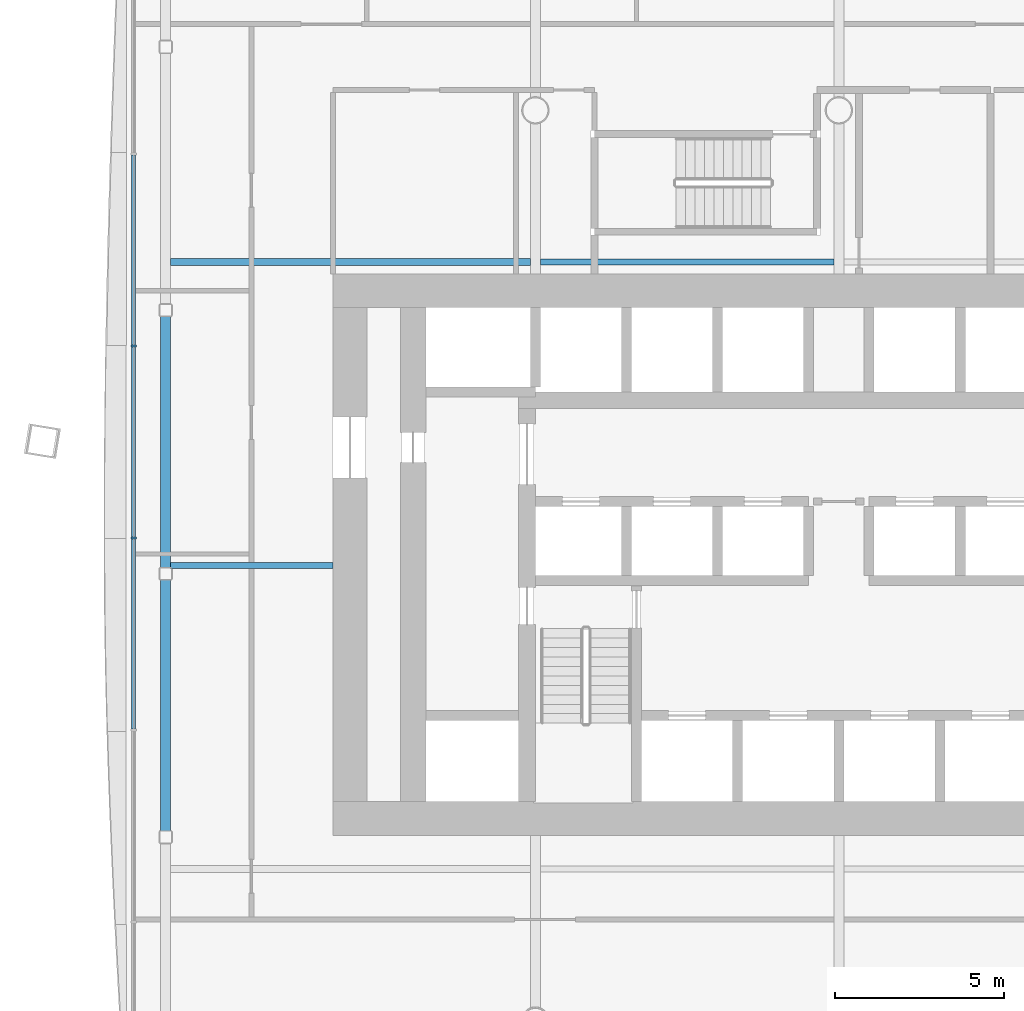
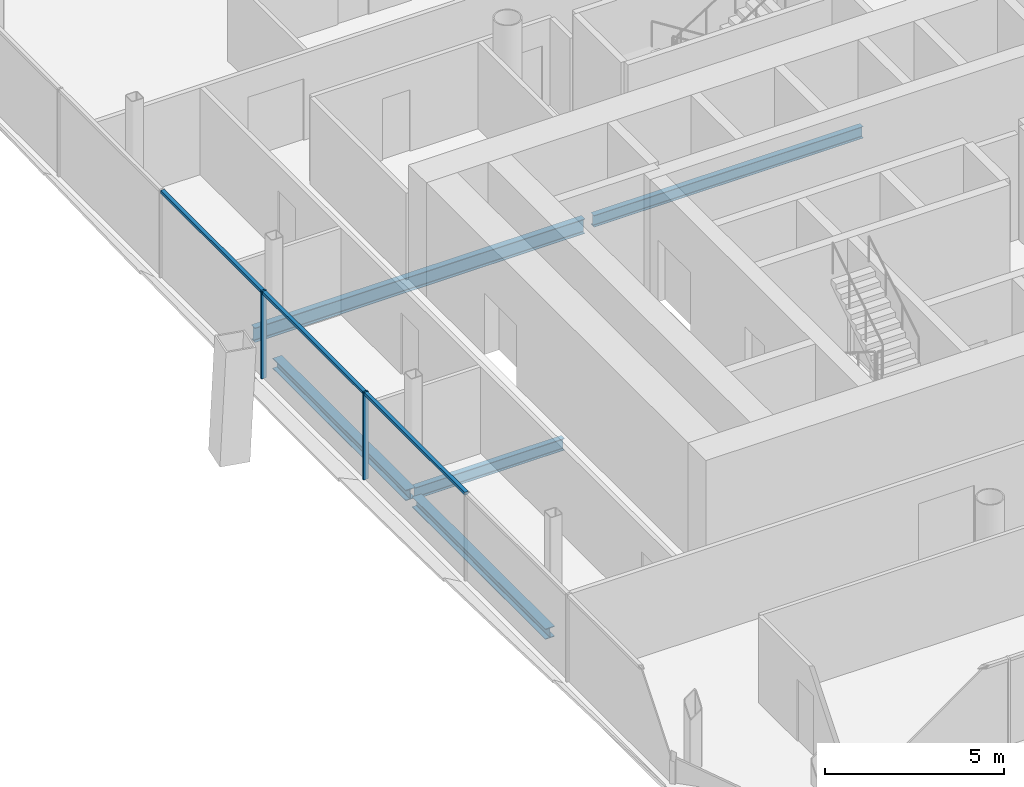
# One storey, part 4 of 19: 5 beams, 5 members, 1 element without a shape of its own.
"""IFC4 building model written with IfcOpenShell, lengths in metres."""

from ifc_helpers import new_model, si_unit, direction, frame, origin, origin_2d, place, context, subcontext, project, spatial, rectangle, i_section, extrude, material, material_profile, profile_set, type_object, element, aggregate, save


model = new_model("IFC4")

# Units and contexts
model_context = context("Model", 3, precision=1e-05, world=origin(), true_north=direction((0.0, 1.0)))
body_context = subcontext(model_context, "Body", "Model", "MODEL_VIEW")
ifc_project = project(units=[si_unit("LENGTHUNIT", "METRE"), si_unit("AREAUNIT", "SQUARE_METRE"), si_unit("VOLUMEUNIT", "CUBIC_METRE"), si_unit("PLANEANGLEUNIT", "RADIAN"), si_unit("MASSUNIT", "GRAM", prefix="KILO")], contexts=[model_context])

# Site, building, storey
site_placement = place(None, origin())
site = spatial("IfcSite", under=ifc_project, at=site_placement, CompositionType="ELEMENT")
building_placement = place(site_placement, origin())
building = spatial("IfcBuilding", under=site, at=building_placement, Name="Tskaro Facet Tower", CompositionType="ELEMENT")
storey_placement = place(building_placement, frame((0.0, 0.0, 105.0)))
storey = spatial("IfcBuildingStorey", under=building, at=storey_placement, Name="L25", CompositionType="ELEMENT", Elevation=105.0)

# Curtain wall, members
ifc_material_1 = material(Name="Bronze anodised aluminium 6063-T6", Category="aluminium")
curtain_wall_type = type_object("IfcCurtainWallType", Name="Bronze office curtain wall (FW1)", PredefinedType="NOTDEFINED", material=ifc_material_1)
curtain_wall_placement = place(storey_placement, origin())
curtain_wall = element("IfcCurtainWall", 1, at=curtain_wall_placement, inside=storey, type_object=curtain_wall_type, Name="FW1 west facet L25", PredefinedType="NOTDEFINED")
ifc_material_profile_1 = material_profile(ifc_material_1, rectangle(XDim=0.06005859375, YDim=0.159912109375, at=origin_2d()), Name="Mullion 60x160")
ifc_profile_set_1 = profile_set([ifc_material_profile_1], Name="Bronze anodised aluminium 6063-T6")
member_type_1 = type_object("IfcMemberType", Name="FW1 bronze mullion 60x160", PredefinedType="MULLION", material=ifc_profile_set_1)
member_1_placement = place(storey_placement, frame((-20.9150390625, 2.0087890625, 0.0), z_axis=(0.0, 0.0, 1.0), x_axis=(0.0, -1.0, 0.0)))
member_1 = element("IfcMember", 2, at=member_1_placement, type_object=member_type_1, Name="FW1 west mullion 3", PredefinedType="MULLION", context=body_context, shape_type="SweptSolid", body=[
    extrude(rectangle(XDim=0.06005859375, YDim=0.159912109375, at=origin_2d()), origin(), (0.0, 0.0, 1.0), 2.989990234375),
])
member_2_placement = place(storey_placement, frame((-20.9150390625, -3.6826171875, 0.0), z_axis=(0.0, 0.0, 1.0), x_axis=(0.0, -1.0, 0.0)))
member_2 = element("IfcMember", 3, at=member_2_placement, type_object=member_type_1, Name="FW1 west mullion 4", PredefinedType="MULLION", context=body_context, shape_type="SweptSolid", body=[
    extrude(rectangle(XDim=0.06005859375, YDim=0.159912109375, at=origin_2d()), origin(), (0.0, 0.0, 1.0), 2.989990234375),
])
ifc_material_profile_2 = material_profile(ifc_material_1, rectangle(XDim=0.1201171875, YDim=0.10009765625, at=origin_2d()), Name="Transom 120x100")
ifc_profile_set_2 = profile_set([ifc_material_profile_2], Name="Bronze anodised aluminium 6063-T6")
member_type_2 = type_object("IfcMemberType", Name="FW1 bronze transom 120x100", PredefinedType="USERDEFINED", material=ifc_profile_set_2)
member_3_placement = place(storey_placement, frame((-20.9150390625, 7.670166015625, 2.93994140625), z_axis=(0.0, -1.0, 0.0), x_axis=(1.0, 0.0, 0.0)))
member_3 = element("IfcMember", 4, at=member_3_placement, type_object=member_type_2, Name="FW1 west transom 3.1", ObjectType="TRANSOM", PredefinedType="USERDEFINED", context=body_context, shape_type="SweptSolid", body=[
    extrude(rectangle(XDim=0.1201171875, YDim=0.10009765625, at=origin_2d()), origin(), (0.0, 0.0, 1.0), 5.63134765625),
])
member_4_placement = place(storey_placement, frame((-20.9150390625, 1.978759765625, 2.93994140625), z_axis=(0.0, -1.0, 0.0), x_axis=(1.0, 0.0, 0.0)))
member_4 = element("IfcMember", 5, at=member_4_placement, type_object=member_type_2, Name="FW1 west transom 4.1", ObjectType="TRANSOM", PredefinedType="USERDEFINED", context=body_context, shape_type="SweptSolid", body=[
    extrude(rectangle(XDim=0.1201171875, YDim=0.10009765625, at=origin_2d()), origin(), (0.0, 0.0, 1.0), 5.631591796875),
])
member_5_placement = place(storey_placement, frame((-20.9150390625, -3.712646484375, 2.93994140625), z_axis=(0.0, -1.0, 0.0), x_axis=(1.0, 0.0, 0.0)))
member_5 = element("IfcMember", 6, at=member_5_placement, type_object=member_type_2, Name="FW1 west transom 5.1", ObjectType="TRANSOM", PredefinedType="USERDEFINED", context=body_context, shape_type="SweptSolid", body=[
    extrude(rectangle(XDim=0.1201171875, YDim=0.10009765625, at=origin_2d()), origin(), (0.0, 0.0, 1.0), 5.631591796875),
])
aggregate(curtain_wall, [member_1, member_2, member_3, member_4, member_5])

# Beams
ifc_material_2 = material(Name="Steel S355J2", Category="steel")
ifc_material_profile_3 = material_profile(ifc_material_2, i_section(OverallWidth=0.300048828125, OverallDepth=0.360107421875, WebThickness=0.012451171875, FlangeThickness=0.0224609375, FilletRadius=0.027099609375, at=origin_2d()), Name="HE 360 B")
ifc_profile_set_3 = profile_set([ifc_material_profile_3], Name="Steel S355J2")
beam_type_1 = type_object("IfcBeamType", Name="HE 360 B ring beam", PredefinedType="BEAM", material=ifc_profile_set_3)
beam_1_placement = place(storey_placement, frame((-19.965087890625, 2.887939453125, -0.320068359375), z_axis=(0.0, -1.0, 0.0), x_axis=(1.0, 0.0, 0.0)))
element("IfcBeam", 7, at=beam_1_placement, inside=storey, type_object=beam_type_1, Name="HE 360 B EB21-2", PredefinedType="BEAM", context=body_context, shape_type="SweptSolid", body=[
    extrude(i_section(OverallWidth=0.300048828125, OverallDepth=0.360107421875, WebThickness=0.012451171875, FlangeThickness=0.0224609375, FilletRadius=0.027099609375, at=origin_2d()), origin(), (0.0, 0.0, 1.0), 7.449951171875),
])
beam_2_placement = place(storey_placement, frame((-19.965087890625, -4.922119140625, -0.320068359375), z_axis=(0.0, -1.0, 0.0), x_axis=(1.0, 0.0, 0.0)))
element("IfcBeam", 8, at=beam_2_placement, inside=storey, type_object=beam_type_1, Name="HE 360 B EB22-2", PredefinedType="BEAM", context=body_context, shape_type="SweptSolid", body=[
    extrude(i_section(OverallWidth=0.300048828125, OverallDepth=0.360107421875, WebThickness=0.012451171875, FlangeThickness=0.0224609375, FilletRadius=0.027099609375, at=origin_2d()), origin(), (0.0, 0.0, 1.0), 7.450927734375),
])
ifc_material_profile_4 = material_profile(ifc_material_2, i_section(OverallWidth=0.179931640625, OverallDepth=0.39990234375, WebThickness=0.008544921875, FlangeThickness=0.013427734375, FilletRadius=0.02099609375, at=origin_2d()), Name="IPE 400")
ifc_profile_set_4 = profile_set([ifc_material_profile_4], Name="Steel S355J2")
beam_type_2 = type_object("IfcBeamType", Name="IPE 400 secondary beam", PredefinedType="BEAM", material=ifc_profile_set_4)
beam_3_placement = place(storey_placement, frame((-19.81494140625, -4.5, -0.340087890625), z_axis=(1.0, 0.0, 0.0), x_axis=(0.0, 1.0, 0.0)))
element("IfcBeam", 9, at=beam_3_placement, inside=storey, type_object=beam_type_2, Name="IPE 400 SB3a-1-2", PredefinedType="BEAM", context=body_context, shape_type="SweptSolid", body=[
    extrude(i_section(OverallWidth=0.179931640625, OverallDepth=0.39990234375, WebThickness=0.008544921875, FlangeThickness=0.013427734375, FilletRadius=0.02099609375, at=origin_2d()), origin(), (0.0, 0.0, 1.0), 4.81494140625),
])
beam_4_placement = place(storey_placement, frame((-8.85009765625, 4.5, -0.340087890625), z_axis=(1.0, 0.0, 0.0), x_axis=(0.0, 1.0, 0.0)))
element("IfcBeam", 10, at=beam_4_placement, inside=storey, type_object=beam_type_2, Name="IPE 400 SB4a-2-2", PredefinedType="BEAM", context=body_context, shape_type="SweptSolid", body=[
    extrude(i_section(OverallWidth=0.179931640625, OverallDepth=0.39990234375, WebThickness=0.008544921875, FlangeThickness=0.013427734375, FilletRadius=0.02099609375, at=origin_2d()), origin(), (0.0, 0.0, 1.0), 8.7001953125),
])
ifc_material_profile_5 = material_profile(ifc_material_2, i_section(OverallWidth=0.199951171875, OverallDepth=0.5, WebThickness=0.01025390625, FlangeThickness=0.01611328125, FilletRadius=0.02099609375, at=origin_2d()), Name="IPE 500")
ifc_profile_set_5 = profile_set([ifc_material_profile_5], Name="Steel S355J2")
beam_type_3 = type_object("IfcBeamType", Name="IPE 500 long secondary beam", PredefinedType="BEAM", material=ifc_profile_set_5)
beam_5_placement = place(storey_placement, frame((-19.81494140625, 4.5, -0.389892578125), z_axis=(1.0, 0.0, 0.0), x_axis=(0.0, 1.0, 0.0)))
element("IfcBeam", 11, at=beam_5_placement, inside=storey, type_object=beam_type_3, Name="IPE 500 LSB4a-1-2", PredefinedType="BEAM", context=body_context, shape_type="SweptSolid", body=[
    extrude(i_section(OverallWidth=0.199951171875, OverallDepth=0.5, WebThickness=0.01025390625, FlangeThickness=0.01611328125, FilletRadius=0.02099609375, at=origin_2d()), origin(), (0.0, 0.0, 1.0), 10.6650390625),
])

save(model, "model.ifc")
